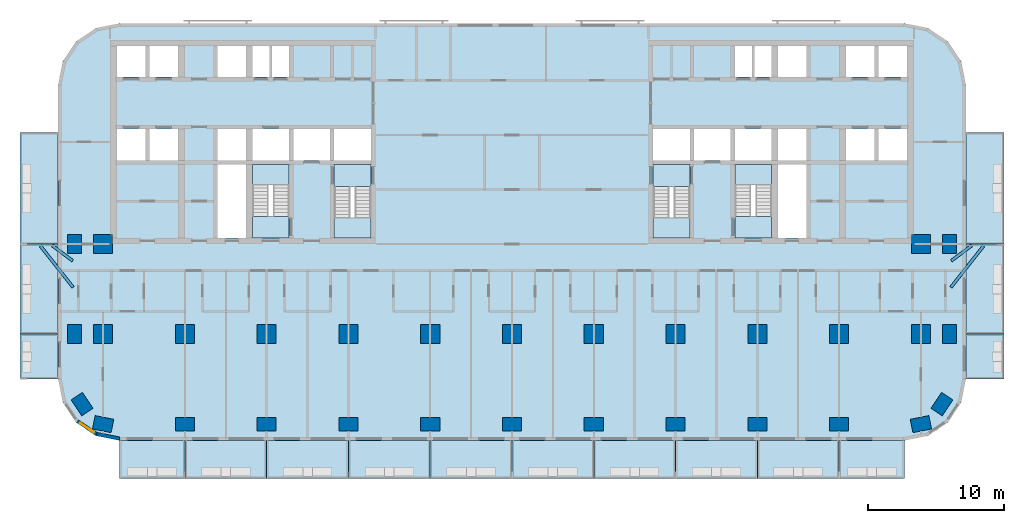
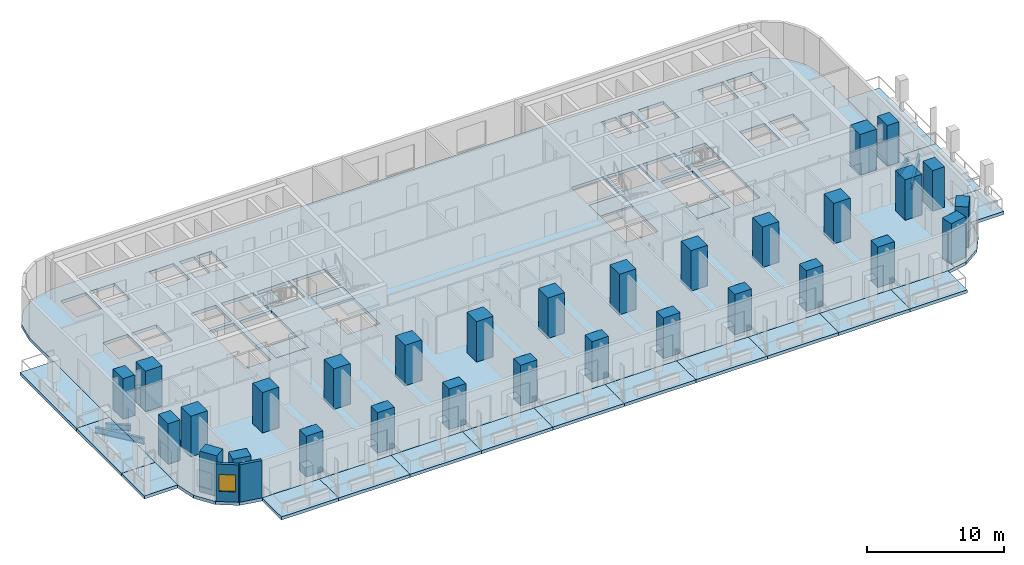
# One storey, part 1 of 15: 30 columns, 25 slabs, 4 beams, 2 walls, 1 window, 1 opening, 4 elements without a shape of their own.
"""IFC4 building model written with IfcOpenShell, lengths in metres."""

import ifcopenshell
import ifcopenshell.guid

model = None  # the IFC model being written
_history = None  # IfcOwnerHistory: only IFC2X3 demands one
_inside = {}  # id of a spatial element -> (the spatial element, [elements in it])
_under = {}  # id of a project, library or spatial element -> (it, [spatial elements below it])
_declared = {}  # id of a project -> (the project, [libraries it declares])
_typed = {}  # id of a type object -> (the type object, [elements of that type])
_made_of = {}  # id of a material, layer set ... -> (it, [elements and type objects made of it])


def new_model(schema):
    """Start an empty IFC model of exactly this schema.

    Asked for "IFC4X3", IfcOpenShell would pick the latest addendum, in which some entities
    have other attributes; the version numbers below select the first issue.
    IFC2X3 requires an IfcOwnerHistory on every rooted entity: one is made here for all.
    """
    global model, _history
    if schema == "IFC4X3":
        model = ifcopenshell.file(schema_version=(4, 3, 0, 0))
    else:
        model = ifcopenshell.file(schema=schema)
    _inside.clear()
    _under.clear()
    _declared.clear()
    _typed.clear()
    _made_of.clear()
    _history = None
    if model.schema == "IFC2X3":
        org = make("IfcOrganization", Name="unknown")
        user = make(
            "IfcPersonAndOrganization",
            ThePerson=make("IfcPerson", FamilyName="unknown"),
            TheOrganization=org,
        )
        app = make(
            "IfcApplication",
            ApplicationDeveloper=org,
            Version="unknown",
            ApplicationFullName="unknown",
            ApplicationIdentifier="unknown",
        )
        _history = make(
            "IfcOwnerHistory",
            OwningUser=user,
            OwningApplication=app,
            ChangeAction="ADDED",
            CreationDate=0,
        )
    return model


def make(cls, **values):
    """One entity of the class cls with the attributes given. An attribute that is None is left unset."""
    return model.create_entity(
        cls, **{name: value for name, value in values.items() if value is not None}
    )


def rooted(cls, **values):
    """An entity with a GlobalId (a new one), such as an element, a storey or a relation."""
    return make(cls, GlobalId=ifcopenshell.guid.new(), OwnerHistory=_history, **values)


def si_unit(unit_type, name, prefix=None):
    """IfcSIUnit, for example si_unit("LENGTHUNIT", "METRE", prefix="MILLI")."""
    return make("IfcSIUnit", UnitType=unit_type, Prefix=prefix, Name=name)


def assignment(units):
    """IfcUnitAssignment: the units of a project."""
    return None if units is None else make("IfcUnitAssignment", Units=units)


def point(xyz):
    """IfcCartesianPoint."""
    return None if xyz is None else make("IfcCartesianPoint", Coordinates=xyz)


def direction(xyz):
    """IfcDirection."""
    return None if xyz is None else make("IfcDirection", DirectionRatios=xyz)


def frame(location, z_axis=None, x_axis=None):
    """IfcAxis2Placement3D, a coordinate frame: its origin and axes. An axis left out is left unset."""
    return make(
        "IfcAxis2Placement3D",
        Location=point(location),
        Axis=direction(z_axis),
        RefDirection=direction(x_axis),
    )


def frame_2d(location, x_axis=None):
    """IfcAxis2Placement2D, a coordinate frame in the plane: its origin and x axis."""
    return make(
        "IfcAxis2Placement2D", Location=point(location), RefDirection=direction(x_axis)
    )


def origin():
    """The frame at (0, 0, 0) with its axes left unset."""
    return frame((0.0, 0.0, 0.0))


def origin_2d():
    """The frame at (0, 0) in the plane with its x axis left unset."""
    return frame_2d((0.0, 0.0))


def place(relative_to, where):
    """IfcLocalPlacement: puts the frame where relative to a parent placement (None: the world)."""
    return make(
        "IfcLocalPlacement", PlacementRelTo=relative_to, RelativePlacement=where
    )


def context(
    kind, dimensions, precision=None, world=None, true_north=None, identifier=None
):
    """IfcGeometricRepresentationContext, for example the 3D "Model" context."""
    return make(
        "IfcGeometricRepresentationContext",
        ContextIdentifier=identifier,
        ContextType=kind,
        CoordinateSpaceDimension=dimensions,
        Precision=precision,
        WorldCoordinateSystem=world,
        TrueNorth=true_north,
    )


def subcontext(parent, identifier, kind, view, scale=None):
    """IfcGeometricRepresentationSubContext, for example "Body" below "Model"."""
    return make(
        "IfcGeometricRepresentationSubContext",
        ContextIdentifier=identifier,
        ContextType=kind,
        ParentContext=parent,
        TargetScale=scale,
        TargetView=view,
    )


def project(units=None, contexts=None):
    """IfcProject with its units and contexts."""
    return rooted(
        "IfcProject",
        Name="project",
        RepresentationContexts=contexts,
        UnitsInContext=assignment(units),
    )


def spatial(cls, under=None, at=None, **own):
    """A site, building, storey or space (cls), placed at a placement, below another one or the project."""
    s = rooted(cls, ObjectPlacement=at, **own)
    if under is not None:
        _under.setdefault(under.id(), (under, []))[1].append(s)
    return s


def polyline(points):
    """IfcPolyline through the points."""
    return make("IfcPolyline", Points=[point(p) for p in points])


def profile(cls, at=None, kind="AREA", **sizes):
    """A parametric profile (cls). Its sizes go by their IFC names, for example OverallWidth=200.0."""
    return make(cls, ProfileType=kind, Position=at, **sizes)


def rectangle(**sizes):
    """IfcRectangleProfileDef."""
    return profile("IfcRectangleProfileDef", **sizes)


def i_section(**sizes):
    """IfcIShapeProfileDef."""
    return profile("IfcIShapeProfileDef", **sizes)


def outline(outer, holes=None, kind="AREA"):
    """IfcArbitraryClosedProfileDef: a profile drawn as a closed curve; with holes, ...WithVoids."""
    if holes is None:
        return make("IfcArbitraryClosedProfileDef", ProfileType=kind, OuterCurve=outer)
    return make(
        "IfcArbitraryProfileDefWithVoids",
        ProfileType=kind,
        OuterCurve=outer,
        InnerCurves=holes,
    )


def extrude(swept, where, along, depth):
    """IfcExtrudedAreaSolid: the profile swept, set in the frame where, extruded along a direction by depth."""
    return make(
        "IfcExtrudedAreaSolid",
        SweptArea=swept,
        Position=where,
        ExtrudedDirection=direction(along),
        Depth=depth,
    )


def shape(context_of_items, identifier, shape_type, items):
    """IfcShapeRepresentation: the items that make up one representation, for example the "Body"."""
    return make(
        "IfcShapeRepresentation",
        ContextOfItems=context_of_items,
        RepresentationIdentifier=identifier,
        RepresentationType=shape_type,
        Items=items,
    )


def material(Name=None, Category=None):
    """IfcMaterial."""
    return make("IfcMaterial", Name=Name, Category=Category)


def layer(
    of_material, thickness, ventilated=None, Name=None, Category=None, Priority=None
):
    """IfcMaterialLayer: one layer of a wall or slab, of a material (None: an air gap)."""
    return make(
        "IfcMaterialLayer",
        Material=of_material,
        LayerThickness=thickness,
        IsVentilated=ventilated,
        Name=Name,
        Category=Category,
        Priority=Priority,
    )


def layer_set(layers, Name=None):
    """IfcMaterialLayerSet."""
    return make("IfcMaterialLayerSet", MaterialLayers=layers, LayerSetName=Name)


def material_profile(
    of_material, cross_section, Name=None, Category=None, Priority=None
):
    """IfcMaterialProfile: a cross section and its material."""
    return make(
        "IfcMaterialProfile",
        Name=Name,
        Material=of_material,
        Profile=cross_section,
        Priority=Priority,
        Category=Category,
    )


def profile_set(profiles, Name=None, composite=None):
    """IfcMaterialProfileSet."""
    return make(
        "IfcMaterialProfileSet",
        Name=Name,
        MaterialProfiles=profiles,
        CompositeProfile=composite,
    )


def made_of(thing, what):
    """Note that an element or type object is made of a material, layer set ...; save() writes the relation."""
    if what is not None:
        _made_of.setdefault(what.id(), (what, []))[1].append(thing)
    return thing


def type_object(cls, material=None, **own):
    """A type object (cls), such as IfcWallType, which elements share."""
    return made_of(rooted(cls, **own), material)


def element(
    cls,
    number,
    at=None,
    inside=None,
    cuts=None,
    type_object=None,
    material=None,
    context=None,
    identifier="Body",
    shape_type=None,
    held_by="IfcProductDefinitionShape",
    body=None,
    shapes=None,
    **own,
):
    """One element of the class cls, such as IfcWall. Its Tag is "e" and its number.

    at: its placement. inside: the storey or other place that contains it. cuts: it is an
    opening in that element (IfcRelVoidsElement). A single representation is given by context,
    identifier, shape_type and body (its items); several are given by shapes. held_by: the class
    of the entity that holds the representations. save() writes the other relations.
    """
    e = rooted(cls, Tag="e%d" % number, ObjectPlacement=at, **own)
    if body is not None:
        shapes = [shape(context, identifier, shape_type, body)]
    if shapes is not None:
        e.Representation = make(held_by, Representations=shapes)
    if inside is not None:
        _inside.setdefault(inside.id(), (inside, []))[1].append(e)
    if cuts is not None:
        rooted(
            "IfcRelVoidsElement", RelatingBuildingElement=cuts, RelatedOpeningElement=e
        )
    if type_object is not None:
        _typed.setdefault(type_object.id(), (type_object, []))[1].append(e)
    return made_of(e, material)


def fill(opening, filler):
    """IfcRelFillsElement: the door or window that sits in an opening."""
    return rooted(
        "IfcRelFillsElement",
        RelatingOpeningElement=opening,
        RelatedBuildingElement=filler,
    )


def aggregate(whole, parts):
    """IfcRelAggregates: a whole, such as a stair, and the parts it consists of."""
    return rooted("IfcRelAggregates", RelatingObject=whole, RelatedObjects=parts)


def save(model, path):
    """Write the relations noted so far, then the file.

    IfcRelAggregates (storeys below a building ...), IfcRelContainedInSpatialStructure (elements
    in a storey), IfcRelDefinesByType, IfcRelAssociatesMaterial and IfcRelDeclares: one each for
    every whole, place, type object, material and project.
    """
    for whole, parts in _under.values():
        aggregate(whole, parts)
    for where, things in _inside.values():
        rooted(
            "IfcRelContainedInSpatialStructure",
            RelatedElements=things,
            RelatingStructure=where,
        )
    for kind, things in _typed.values():
        rooted("IfcRelDefinesByType", RelatedObjects=things, RelatingType=kind)
    for what, things in _made_of.values():
        rooted("IfcRelAssociatesMaterial", RelatedObjects=things, RelatingMaterial=what)
    for by, libraries in _declared.values():
        rooted("IfcRelDeclares", RelatingContext=by, RelatedDefinitions=libraries)
    model.write(path)


model = new_model("IFC4")

# Units and contexts
model_context = context("Model", 3, precision=1e-05, world=origin(), true_north=direction((0.0, 1.0)))
body_context = subcontext(model_context, "Body", "Model", "MODEL_VIEW")
ifc_project = project(units=[si_unit("LENGTHUNIT", "METRE"), si_unit("AREAUNIT", "SQUARE_METRE"), si_unit("VOLUMEUNIT", "CUBIC_METRE"), si_unit("PLANEANGLEUNIT", "RADIAN"), si_unit("MASSUNIT", "GRAM", prefix="KILO")], contexts=[model_context])

# Site, building, storey
site_placement = place(None, origin())
site = spatial("IfcSite", under=ifc_project, at=site_placement, CompositionType="ELEMENT")
building_placement = place(site_placement, origin())
building = spatial("IfcBuilding", under=site, at=building_placement, Name="Torana Hotel and Residences", CompositionType="ELEMENT")
storey_placement = place(building_placement, frame((0.0, 0.0, 24.0)))
storey = spatial("IfcBuildingStorey", under=building, at=storey_placement, Name="L04", CompositionType="ELEMENT", Elevation=24.0)

# Columns
ifc_material_1 = material(Name="Concrete C70/85", Category="concrete")
ifc_material_profile_1 = material_profile(ifc_material_1, rectangle(XDim=1.39990234375, YDim=1.0, at=origin_2d()), Name="RC 1400x1000")
ifc_profile_set_1 = profile_set([ifc_material_profile_1], Name="Concrete C70/85")
column_type_1 = type_object("IfcColumnType", Name="COLUMN RC 1400x1000 C70/85", PredefinedType="COLUMN", material=ifc_profile_set_1)
for number, where, z_axis, x_axis, name in (
    (1, (-32.10009765625, -21.60009765625, -0.280029296875), (0.0, 0.0, 1.0), (0.0, 1.0, 0.0), "Column L04"),
    (2, (-32.10009765625, -15.0, -0.280029296875), (0.0, 0.0, 1.0), (0.0, 1.0, 0.0), "Column L04"),
    (3, (-31.5439453125, -26.73291015625, -0.280029296875), (0.0, 0.0, 1.0), (-0.555584744817, 0.831459915646, 0.0), "Column L04"),
    (4, (-30.0, -28.199951171875, -0.280029296875), (0.0, 0.0, 1.0), (-0.980792089743, 0.195056086032, 0.0), "Column L04"),
    (5, (-24.0, -28.199951171875, -0.280029296875), (0.0, 0.0, 1.0), (1.0, 0.0, 0.0), "Column L04"),
    (6, (-18.0, -28.199951171875, -0.280029296875), (0.0, 0.0, 1.0), (1.0, 0.0, 0.0), "Column L04"),
    (7, (-12.0, -28.199951171875, -0.280029296875), (0.0, 0.0, 1.0), (1.0, 0.0, 0.0), "Column L04"),
    (8, (-6.0, -28.199951171875, -0.280029296875), (0.0, 0.0, 1.0), (1.0, 0.0, 0.0), "Column L04"),
    (9, (0.0, -28.199951171875, -0.280029296875), (0.0, 0.0, 1.0), (1.0, 0.0, 0.0), "Column L04"),
    (10, (6.0, -28.199951171875, -0.280029296875), (0.0, 0.0, 1.0), (1.0, 0.0, 0.0), "Column L04"),
    (11, (12.0, -28.199951171875, -0.280029296875), (0.0, 0.0, 1.0), (1.0, 0.0, 0.0), "Column L04"),
    (12, (18.0, -28.199951171875, -0.280029296875), (0.0, 0.0, 1.0), (1.0, 0.0, 0.0), "Column L04"),
    (13, (24.0, -28.199951171875, -0.280029296875), (0.0, 0.0, 1.0), (1.0, 0.0, 0.0), "Column L04"),
    (14, (30.0, -28.199951171875, -0.280029296875), (0.0, 0.0, 1.0), (0.980792089743, 0.195056086032, 0.0), "Column L04"),
    (15, (31.5439453125, -26.73291015625, -0.280029296875), (0.0, 0.0, 1.0), (0.555584744817, 0.831459915646, 0.0), "Column L04"),
    (16, (32.10009765625, -21.60009765625, -0.280029296875), (0.0, 0.0, 1.0), (0.0, 1.0, 0.0), "Column L04"),
    (17, (32.10009765625, -15.0, -0.280029296875), (0.0, 0.0, 1.0), (0.0, 1.0, 0.0), "Column L04"),
):
    element("IfcColumn", number, at=place(storey_placement, frame(where, z_axis=z_axis, x_axis=x_axis)), inside=storey, type_object=column_type_1, Name=name, PredefinedType="COLUMN", context=body_context, shape_type="SweptSolid", body=[
        extrude(rectangle(XDim=1.39990234375, YDim=1.0, at=origin_2d()), origin(), (0.0, 0.0, 1.0), 3.880126953125),
    ])
ifc_material_2 = material(Name="Concrete C70/85", Category="concrete")
ifc_material_profile_2 = material_profile(ifc_material_2, rectangle(XDim=1.39990234375, YDim=1.39990234375, at=origin_2d()), Name="RC 1400x1400")
ifc_profile_set_2 = profile_set([ifc_material_profile_2], Name="Concrete C70/85")
column_type_2 = type_object("IfcColumnType", Name="COLUMN RC 1400x1400 C70/85", PredefinedType="COLUMN", material=ifc_profile_set_2)
for number, where, z_axis, x_axis, name in (
    (18, (-30.0, -21.60009765625, -0.280029296875), (0.0, 0.0, 1.0), (1.0, 0.0, 0.0), "Column L04"),
    (19, (-30.0, -15.0, -0.280029296875), (0.0, 0.0, 1.0), (1.0, 0.0, 0.0), "Column L04"),
    (20, (-24.0, -21.60009765625, -0.280029296875), (0.0, 0.0, 1.0), (1.0, 0.0, 0.0), "Column L04"),
    (21, (-18.0, -21.60009765625, -0.280029296875), (0.0, 0.0, 1.0), (1.0, 0.0, 0.0), "Column L04"),
    (22, (-12.0, -21.60009765625, -0.280029296875), (0.0, 0.0, 1.0), (1.0, 0.0, 0.0), "Column L04"),
    (23, (-6.0, -21.60009765625, -0.280029296875), (0.0, 0.0, 1.0), (1.0, 0.0, 0.0), "Column L04"),
    (24, (0.0, -21.60009765625, -0.280029296875), (0.0, 0.0, 1.0), (1.0, 0.0, 0.0), "Column L04"),
    (25, (6.0, -21.60009765625, -0.280029296875), (0.0, 0.0, 1.0), (1.0, 0.0, 0.0), "Column L04"),
    (26, (12.0, -21.60009765625, -0.280029296875), (0.0, 0.0, 1.0), (1.0, 0.0, 0.0), "Column L04"),
    (27, (18.0, -21.60009765625, -0.280029296875), (0.0, 0.0, 1.0), (1.0, 0.0, 0.0), "Column L04"),
    (28, (24.0, -21.60009765625, -0.280029296875), (0.0, 0.0, 1.0), (1.0, 0.0, 0.0), "Column L04"),
    (29, (30.0, -21.60009765625, -0.280029296875), (0.0, 0.0, 1.0), (1.0, 0.0, 0.0), "Column L04"),
    (30, (30.0, -15.0, -0.280029296875), (0.0, 0.0, 1.0), (1.0, 0.0, 0.0), "Column L04"),
):
    element("IfcColumn", number, at=place(storey_placement, frame(where, z_axis=z_axis, x_axis=x_axis)), inside=storey, type_object=column_type_2, Name=name, PredefinedType="COLUMN", context=body_context, shape_type="SweptSolid", body=[
        extrude(rectangle(XDim=1.39990234375, YDim=1.39990234375, at=origin_2d()), origin(), (0.0, 0.0, 1.0), 3.880126953125),
    ])

# Beams
ifc_material_3 = material(Name="Steel S355", Category="steel")
ifc_material_profile_3 = material_profile(ifc_material_3, i_section(OverallWidth=0.2119140625, OverallDepth=0.54443359375, WebThickness=0.0126953125, FlangeThickness=0.021240234375, FilletRadius=0.0126953125, at=origin_2d()), Name="533x210x122 UB")
ifc_profile_set_3 = profile_set([ifc_material_profile_3], Name="Steel S355")
beam_type = type_object("IfcBeamType", Name="BALCONY TIE BEAM 533x210x122 UB", PredefinedType="BEAM", material=ifc_profile_set_3)
beam_1_placement = place(storey_placement, frame((-33.72412109375, -15.10205078125, -0.55224609375), z_axis=(0.80001575065, -0.599978998559, 0.0), x_axis=(0.599978998559, 0.80001575065, 0.0)))
element("IfcBeam", 31, at=beam_1_placement, inside=storey, type_object=beam_type, Name="Balcony tie beam", PredefinedType="BEAM", context=body_context, shape_type="SweptSolid", body=[
    extrude(i_section(OverallWidth=0.2119140625, OverallDepth=0.54443359375, WebThickness=0.0126953125, FlangeThickness=0.021240234375, FilletRadius=0.0126953125, at=origin_2d()), origin(), (0.0, 0.0, 1.0), 1.860107421875),
])
beam_2_placement = place(storey_placement, frame((-34.5947265625, -15.133544921875, -0.55224609375), z_axis=(0.61887931962, -0.785486083739, 0.0), x_axis=(0.785486083739, 0.61887931962, 0.0)))
element("IfcBeam", 32, at=beam_2_placement, inside=storey, type_object=beam_type, Name="Balcony tie beam", PredefinedType="BEAM", context=body_context, shape_type="SweptSolid", body=[
    extrude(i_section(OverallWidth=0.2119140625, OverallDepth=0.54443359375, WebThickness=0.0126953125, FlangeThickness=0.021240234375, FilletRadius=0.0126953125, at=origin_2d()), origin(), (0.0, 0.0, 1.0), 3.861328125),
])
beam_3_placement = place(storey_placement, frame((33.72412109375, -15.10205078125, -0.55224609375), z_axis=(-0.80001575065, -0.599978998559, 0.0), x_axis=(0.599978998559, -0.80001575065, 0.0)))
element("IfcBeam", 33, at=beam_3_placement, inside=storey, type_object=beam_type, Name="Balcony tie beam", PredefinedType="BEAM", context=body_context, shape_type="SweptSolid", body=[
    extrude(i_section(OverallWidth=0.2119140625, OverallDepth=0.54443359375, WebThickness=0.0126953125, FlangeThickness=0.021240234375, FilletRadius=0.0126953125, at=origin_2d()), origin(), (0.0, 0.0, 1.0), 1.860107421875),
])
beam_4_placement = place(storey_placement, frame((34.5947265625, -15.133544921875, -0.55224609375), z_axis=(-0.61887931962, -0.785486083739, 0.0), x_axis=(0.785486083739, -0.61887931962, 0.0)))
element("IfcBeam", 34, at=beam_4_placement, inside=storey, type_object=beam_type, Name="Balcony tie beam", PredefinedType="BEAM", context=body_context, shape_type="SweptSolid", body=[
    extrude(i_section(OverallWidth=0.2119140625, OverallDepth=0.54443359375, WebThickness=0.0126953125, FlangeThickness=0.021240234375, FilletRadius=0.0126953125, at=origin_2d()), origin(), (0.0, 0.0, 1.0), 3.861328125),
])

# Slabs
ifc_material_4 = material(Name="Concrete C40/50", Category="concrete")
ifc_layer_1 = layer(ifc_material_4, 0.280029296875)
ifc_layer_set_1 = layer_set([ifc_layer_1], Name="BAL1 BALCONY SLAB 280")
slab_type_1 = type_object("IfcSlabType", Name="BAL1 BALCONY SLAB 280", PredefinedType="USERDEFINED", material=ifc_layer_set_1)
slab_1_placement = place(storey_placement, frame((0.0, 0.0, -0.280029296875)))
element("IfcSlab", 35, at=slab_1_placement, inside=storey, type_object=slab_type_1, Name="Balcony 01", ObjectType="BALCONY", PredefinedType="USERDEFINED", context=body_context, shape_type="SweptSolid", body=[
    extrude(outline(polyline([(-28.800048828125, -32.199951171875), (-24.0, -32.199951171875), (-24.0, -29.39990234375), (-28.800048828125, -29.39990234375), (-28.800048828125, -32.199951171875)])), origin(), (0.0, 0.0, 1.0), 0.280029296875),
])
slab_2_placement = place(storey_placement, frame((0.0, 0.0, -0.280029296875)))
element("IfcSlab", 36, at=slab_2_placement, inside=storey, type_object=slab_type_1, Name="Balcony 02", ObjectType="BALCONY", PredefinedType="USERDEFINED", context=body_context, shape_type="SweptSolid", body=[
    extrude(outline(polyline([(-24.0, -32.199951171875), (-18.0, -32.199951171875), (-18.0, -29.39990234375), (-24.0, -29.39990234375), (-24.0, -32.199951171875)])), origin(), (0.0, 0.0, 1.0), 0.280029296875),
])
slab_3_placement = place(storey_placement, frame((0.0, 0.0, -0.280029296875)))
element("IfcSlab", 37, at=slab_3_placement, inside=storey, type_object=slab_type_1, Name="Balcony 03", ObjectType="BALCONY", PredefinedType="USERDEFINED", context=body_context, shape_type="SweptSolid", body=[
    extrude(outline(polyline([(-18.0, -32.199951171875), (-12.0, -32.199951171875), (-12.0, -29.39990234375), (-18.0, -29.39990234375), (-18.0, -32.199951171875)])), origin(), (0.0, 0.0, 1.0), 0.280029296875),
])
slab_4_placement = place(storey_placement, frame((0.0, 0.0, -0.280029296875)))
element("IfcSlab", 38, at=slab_4_placement, inside=storey, type_object=slab_type_1, Name="Balcony 04", ObjectType="BALCONY", PredefinedType="USERDEFINED", context=body_context, shape_type="SweptSolid", body=[
    extrude(outline(polyline([(-12.0, -32.199951171875), (-6.0, -32.199951171875), (-6.0, -29.39990234375), (-12.0, -29.39990234375), (-12.0, -32.199951171875)])), origin(), (0.0, 0.0, 1.0), 0.280029296875),
])
slab_5_placement = place(storey_placement, frame((0.0, 0.0, -0.280029296875)))
element("IfcSlab", 39, at=slab_5_placement, inside=storey, type_object=slab_type_1, Name="Balcony 05", ObjectType="BALCONY", PredefinedType="USERDEFINED", context=body_context, shape_type="SweptSolid", body=[
    extrude(outline(polyline([(-6.0, -32.199951171875), (0.0, -32.199951171875), (0.0, -29.39990234375), (-6.0, -29.39990234375), (-6.0, -32.199951171875)])), origin(), (0.0, 0.0, 1.0), 0.280029296875),
])
slab_6_placement = place(storey_placement, frame((0.0, 0.0, -0.280029296875)))
element("IfcSlab", 40, at=slab_6_placement, inside=storey, type_object=slab_type_1, Name="Balcony 06", ObjectType="BALCONY", PredefinedType="USERDEFINED", context=body_context, shape_type="SweptSolid", body=[
    extrude(outline(polyline([(0.0, -32.199951171875), (6.0, -32.199951171875), (6.0, -29.39990234375), (0.0, -29.39990234375), (0.0, -32.199951171875)])), origin(), (0.0, 0.0, 1.0), 0.280029296875),
])
slab_7_placement = place(storey_placement, frame((0.0, 0.0, -0.280029296875)))
element("IfcSlab", 41, at=slab_7_placement, inside=storey, type_object=slab_type_1, Name="Balcony 07", ObjectType="BALCONY", PredefinedType="USERDEFINED", context=body_context, shape_type="SweptSolid", body=[
    extrude(outline(polyline([(6.0, -32.199951171875), (12.0, -32.199951171875), (12.0, -29.39990234375), (6.0, -29.39990234375), (6.0, -32.199951171875)])), origin(), (0.0, 0.0, 1.0), 0.280029296875),
])
slab_8_placement = place(storey_placement, frame((0.0, 0.0, -0.280029296875)))
element("IfcSlab", 42, at=slab_8_placement, inside=storey, type_object=slab_type_1, Name="Balcony 08", ObjectType="BALCONY", PredefinedType="USERDEFINED", context=body_context, shape_type="SweptSolid", body=[
    extrude(outline(polyline([(12.0, -32.199951171875), (18.0, -32.199951171875), (18.0, -29.39990234375), (12.0, -29.39990234375), (12.0, -32.199951171875)])), origin(), (0.0, 0.0, 1.0), 0.280029296875),
])
slab_9_placement = place(storey_placement, frame((0.0, 0.0, -0.280029296875)))
element("IfcSlab", 43, at=slab_9_placement, inside=storey, type_object=slab_type_1, Name="Balcony 09", ObjectType="BALCONY", PredefinedType="USERDEFINED", context=body_context, shape_type="SweptSolid", body=[
    extrude(outline(polyline([(18.0, -32.199951171875), (24.0, -32.199951171875), (24.0, -29.39990234375), (18.0, -29.39990234375), (18.0, -32.199951171875)])), origin(), (0.0, 0.0, 1.0), 0.280029296875),
])
slab_10_placement = place(storey_placement, frame((0.0, 0.0, -0.280029296875)))
element("IfcSlab", 44, at=slab_10_placement, inside=storey, type_object=slab_type_1, Name="Balcony 10", ObjectType="BALCONY", PredefinedType="USERDEFINED", context=body_context, shape_type="SweptSolid", body=[
    extrude(outline(polyline([(24.0, -32.199951171875), (28.800048828125, -32.199951171875), (28.800048828125, -29.39990234375), (24.0, -29.39990234375), (24.0, -32.199951171875)])), origin(), (0.0, 0.0, 1.0), 0.280029296875),
])
slab_11_placement = place(storey_placement, frame((0.0, 0.0, -0.280029296875)))
element("IfcSlab", 45, at=slab_11_placement, inside=storey, type_object=slab_type_1, Name="Balcony 11", ObjectType="BALCONY", PredefinedType="USERDEFINED", context=body_context, shape_type="SweptSolid", body=[
    extrude(outline(polyline([(-36.10009765625, -24.89990234375), (-33.300048828125, -24.89990234375), (-33.300048828125, -21.60009765625), (-36.10009765625, -21.60009765625), (-36.10009765625, -24.89990234375)])), origin(), (0.0, 0.0, 1.0), 0.280029296875),
])
slab_12_placement = place(storey_placement, frame((0.0, 0.0, -0.280029296875)))
element("IfcSlab", 46, at=slab_12_placement, inside=storey, type_object=slab_type_1, Name="Balcony 12", ObjectType="BALCONY", PredefinedType="USERDEFINED", context=body_context, shape_type="SweptSolid", body=[
    extrude(outline(polyline([(-36.10009765625, -21.60009765625), (-33.300048828125, -21.60009765625), (-33.300048828125, -15.0), (-36.10009765625, -15.0), (-36.10009765625, -21.60009765625)])), origin(), (0.0, 0.0, 1.0), 0.280029296875),
])
slab_13_placement = place(storey_placement, frame((0.0, 0.0, -0.280029296875)))
element("IfcSlab", 47, at=slab_13_placement, inside=storey, type_object=slab_type_1, Name="Balcony 13", ObjectType="BALCONY", PredefinedType="USERDEFINED", context=body_context, shape_type="SweptSolid", body=[
    extrude(outline(polyline([(-36.10009765625, -15.0), (-33.300048828125, -15.0), (-33.300048828125, -6.800048828125), (-36.10009765625, -6.800048828125), (-36.10009765625, -15.0)])), origin(), (0.0, 0.0, 1.0), 0.280029296875),
])
slab_14_placement = place(storey_placement, frame((0.0, 0.0, -0.280029296875)))
element("IfcSlab", 48, at=slab_14_placement, inside=storey, type_object=slab_type_1, Name="Balcony 14", ObjectType="BALCONY", PredefinedType="USERDEFINED", context=body_context, shape_type="SweptSolid", body=[
    extrude(outline(polyline([(33.300048828125, -24.89990234375), (36.10009765625, -24.89990234375), (36.10009765625, -21.60009765625), (33.300048828125, -21.60009765625), (33.300048828125, -24.89990234375)])), origin(), (0.0, 0.0, 1.0), 0.280029296875),
])
slab_15_placement = place(storey_placement, frame((0.0, 0.0, -0.280029296875)))
element("IfcSlab", 49, at=slab_15_placement, inside=storey, type_object=slab_type_1, Name="Balcony 15", ObjectType="BALCONY", PredefinedType="USERDEFINED", context=body_context, shape_type="SweptSolid", body=[
    extrude(outline(polyline([(33.300048828125, -21.60009765625), (36.10009765625, -21.60009765625), (36.10009765625, -15.0), (33.300048828125, -15.0), (33.300048828125, -21.60009765625)])), origin(), (0.0, 0.0, 1.0), 0.280029296875),
])
slab_16_placement = place(storey_placement, frame((0.0, 0.0, -0.280029296875)))
element("IfcSlab", 50, at=slab_16_placement, inside=storey, type_object=slab_type_1, Name="Balcony 16", ObjectType="BALCONY", PredefinedType="USERDEFINED", context=body_context, shape_type="SweptSolid", body=[
    extrude(outline(polyline([(33.300048828125, -15.0), (36.10009765625, -15.0), (36.10009765625, -6.800048828125), (33.300048828125, -6.800048828125), (33.300048828125, -15.0)])), origin(), (0.0, 0.0, 1.0), 0.280029296875),
])
ifc_material_5 = material(Name="Concrete C40/50", Category="concrete")
ifc_layer_2 = layer(ifc_material_5, 0.280029296875)
ifc_layer_set_2 = layer_set([ifc_layer_2], Name="FLOOR SLAB PT 280")
slab_type_2 = type_object("IfcSlabType", Name="FLOOR SLAB PT 280", PredefinedType="FLOOR", material=ifc_layer_set_2)
slab_17_placement = place(storey_placement, frame((0.0, 0.0, -0.280029296875)))
element("IfcSlab", 51, at=slab_17_placement, inside=storey, type_object=slab_type_2, Name="Floor slab", PredefinedType="FLOOR", context=body_context, shape_type="SweptSolid", body=[
    extrude(outline(polyline([(33.300048828125, -3.300048828125), (32.95751953125, -1.577880859375), (31.98193359375, -0.117919921875), (30.522216796875, 0.857421875), (28.800048828125, 1.199951171875), (-28.800048828125, 1.199951171875), (-30.522216796875, 0.857421875), (-31.98193359375, -0.117919921875), (-32.95751953125, -1.577880859375), (-33.300048828125, -3.300048828125), (-33.300048828125, -24.89990234375), (-32.95751953125, -26.6220703125), (-31.98193359375, -28.08203125), (-30.522216796875, -29.0576171875), (-28.800048828125, -29.39990234375), (28.800048828125, -29.39990234375), (30.522216796875, -29.0576171875), (31.98193359375, -28.08203125), (32.95751953125, -26.6220703125), (33.300048828125, -24.89990234375), (33.300048828125, -3.300048828125)]), holes=[polyline([(-13.050048828125, -14.550048828125), (-10.35009765625, -14.550048828125), (-10.35009765625, -9.14990234375), (-13.050048828125, -9.14990234375), (-13.050048828125, -14.550048828125)]), polyline([(-19.050048828125, -14.550048828125), (-16.35009765625, -14.550048828125), (-16.35009765625, -9.14990234375), (-19.050048828125, -9.14990234375), (-19.050048828125, -14.550048828125)]), polyline([(-17.625, -2.75), (-16.35009765625, -2.75), (-16.35009765625, -0.449951171875), (-17.625, -0.449951171875), (-17.625, -2.75)]), polyline([(-19.050048828125, -2.75), (-17.77490234375, -2.75), (-17.77490234375, -0.449951171875), (-19.050048828125, -0.449951171875), (-19.050048828125, -2.75)]), polyline([(-26.60009765625, -2.75), (-24.5, -2.75), (-24.5, -0.449951171875), (-26.60009765625, -0.449951171875), (-26.60009765625, -2.75)]), polyline([(-29.0, -2.75), (-26.89990234375, -2.75), (-26.89990234375, -0.449951171875), (-29.0, -0.449951171875), (-29.0, -2.75)]), polyline([(-26.60009765625, -8.85009765625), (-24.5, -8.85009765625), (-24.5, -6.550048828125), (-26.60009765625, -6.550048828125), (-26.60009765625, -8.85009765625)]), polyline([(-29.0, -8.85009765625), (-26.89990234375, -8.85009765625), (-26.89990234375, -6.550048828125), (-29.0, -6.550048828125), (-29.0, -8.85009765625)]), polyline([(-21.60009765625, -2.75), (-19.5, -2.75), (-19.5, -0.449951171875), (-21.60009765625, -0.449951171875), (-21.60009765625, -2.75)]), polyline([(-21.60009765625, -8.85009765625), (-19.5, -8.85009765625), (-19.5, -6.550048828125), (-21.60009765625, -6.550048828125), (-21.60009765625, -8.85009765625)]), polyline([(-13.050048828125, -8.85009765625), (-10.35009765625, -8.85009765625), (-10.35009765625, -6.550048828125), (-13.050048828125, -6.550048828125), (-13.050048828125, -8.85009765625)]), polyline([(-16.050048828125, -8.85009765625), (-13.35009765625, -8.85009765625), (-13.35009765625, -6.550048828125), (-16.050048828125, -6.550048828125), (-16.050048828125, -8.85009765625)]), polyline([(-19.050048828125, -8.85009765625), (-16.35009765625, -8.85009765625), (-16.35009765625, -6.550048828125), (-19.050048828125, -6.550048828125), (-19.050048828125, -8.85009765625)]), polyline([(-21.60009765625, -14.550048828125), (-19.5, -14.550048828125), (-19.5, -9.14990234375), (-21.60009765625, -9.14990234375), (-21.60009765625, -14.550048828125)]), polyline([(10.35009765625, -14.550048828125), (13.050048828125, -14.550048828125), (13.050048828125, -9.14990234375), (10.35009765625, -9.14990234375), (10.35009765625, -14.550048828125)]), polyline([(16.35009765625, -14.550048828125), (19.050048828125, -14.550048828125), (19.050048828125, -9.14990234375), (16.35009765625, -9.14990234375), (16.35009765625, -14.550048828125)]), polyline([(16.35009765625, -2.75), (17.625, -2.75), (17.625, -0.449951171875), (16.35009765625, -0.449951171875), (16.35009765625, -2.75)]), polyline([(17.77490234375, -2.75), (19.050048828125, -2.75), (19.050048828125, -0.449951171875), (17.77490234375, -0.449951171875), (17.77490234375, -2.75)]), polyline([(24.5, -2.75), (26.60009765625, -2.75), (26.60009765625, -0.449951171875), (24.5, -0.449951171875), (24.5, -2.75)]), polyline([(26.89990234375, -2.75), (29.0, -2.75), (29.0, -0.449951171875), (26.89990234375, -0.449951171875), (26.89990234375, -2.75)]), polyline([(24.5, -8.85009765625), (26.60009765625, -8.85009765625), (26.60009765625, -6.550048828125), (24.5, -6.550048828125), (24.5, -8.85009765625)]), polyline([(26.89990234375, -8.85009765625), (29.0, -8.85009765625), (29.0, -6.550048828125), (26.89990234375, -6.550048828125), (26.89990234375, -8.85009765625)]), polyline([(19.5, -2.75), (21.60009765625, -2.75), (21.60009765625, -0.449951171875), (19.5, -0.449951171875), (19.5, -2.75)]), polyline([(19.5, -8.85009765625), (21.60009765625, -8.85009765625), (21.60009765625, -6.550048828125), (19.5, -6.550048828125), (19.5, -8.85009765625)]), polyline([(10.35009765625, -8.85009765625), (13.050048828125, -8.85009765625), (13.050048828125, -6.550048828125), (10.35009765625, -6.550048828125), (10.35009765625, -8.85009765625)]), polyline([(13.35009765625, -8.85009765625), (16.050048828125, -8.85009765625), (16.050048828125, -6.550048828125), (13.35009765625, -6.550048828125), (13.35009765625, -8.85009765625)]), polyline([(16.35009765625, -8.85009765625), (19.050048828125, -8.85009765625), (19.050048828125, -6.550048828125), (16.35009765625, -6.550048828125), (16.35009765625, -8.85009765625)]), polyline([(19.5, -14.550048828125), (21.60009765625, -14.550048828125), (21.60009765625, -9.14990234375), (19.5, -9.14990234375), (19.5, -14.550048828125)])]), origin(), (0.0, 0.0, 1.0), 0.280029296875),
])

# Stair, slabs
ifc_material_6 = material(Name="Concrete C40/50 precast", Category="concrete")
stair_type_1 = type_object("IfcStairType", Name="STAIR ST1 HALF TURN 1200", PredefinedType="HALF_TURN_STAIR", material=ifc_material_6)
stair_1_placement = place(storey_placement, origin())
stair_1 = element("IfcStair", 52, at=stair_1_placement, inside=storey, type_object=stair_type_1, Name="Stair ST1 L04", PredefinedType="HALF_TURN_STAIR")
ifc_material_7 = material(Name="Concrete C40/50 precast", Category="concrete")
ifc_layer_3 = layer(ifc_material_7, 0.199951171875)
ifc_layer_set_3 = layer_set([ifc_layer_3], Name="STAIR LANDING 200")
slab_type_3 = type_object("IfcSlabType", Name="STAIR LANDING 200", PredefinedType="LANDING", material=ifc_layer_set_3)
slab_18_placement = place(storey_placement, frame((0.0, 0.0, 1.60009765625)))
slab_18 = element("IfcSlab", 53, at=slab_18_placement, type_object=slab_type_3, Name="ST1 landing 1", PredefinedType="LANDING", context=body_context, shape_type="SweptSolid", body=[
    extrude(outline(polyline([(-13.050048828125, -14.550048828125), (-10.35009765625, -14.550048828125), (-10.35009765625, -13.090087890625), (-13.050048828125, -13.090087890625), (-13.050048828125, -14.550048828125)])), origin(), (0.0, 0.0, 1.0), 0.199951171875),
])
slab_19_placement = place(storey_placement, frame((0.0, 0.0, -0.199951171875)))
slab_19 = element("IfcSlab", 54, at=slab_19_placement, type_object=slab_type_3, Name="ST1 landing 2", PredefinedType="LANDING", context=body_context, shape_type="SweptSolid", body=[
    extrude(outline(polyline([(-13.050048828125, -10.75), (-10.35009765625, -10.75), (-10.35009765625, -9.14990234375), (-13.050048828125, -9.14990234375), (-13.050048828125, -10.75)])), origin(), (0.0, 0.0, 1.0), 0.199951171875),
])
aggregate(stair_1, [slab_18, slab_19])

ifc_material_8 = material(Name="Concrete C40/50 precast", Category="concrete")
stair_type_2 = type_object("IfcStairType", Name="STAIR ST2 HALF TURN 1200", PredefinedType="HALF_TURN_STAIR", material=ifc_material_8)
stair_2_placement = place(storey_placement, origin())
stair_2 = element("IfcStair", 55, at=stair_2_placement, inside=storey, type_object=stair_type_2, Name="Stair ST2 L04", PredefinedType="HALF_TURN_STAIR")
slab_20_placement = place(storey_placement, frame((0.0, 0.0, 1.60009765625)))
slab_20 = element("IfcSlab", 56, at=slab_20_placement, type_object=slab_type_3, Name="ST2 landing 1", PredefinedType="LANDING", context=body_context, shape_type="SweptSolid", body=[
    extrude(outline(polyline([(-19.050048828125, -10.610107421875), (-16.35009765625, -10.610107421875), (-16.35009765625, -9.14990234375), (-19.050048828125, -9.14990234375), (-19.050048828125, -10.610107421875)])), origin(), (0.0, 0.0, 1.0), 0.199951171875),
])
slab_21_placement = place(storey_placement, frame((0.0, 0.0, -0.199951171875)))
slab_21 = element("IfcSlab", 57, at=slab_21_placement, type_object=slab_type_3, Name="ST2 landing 2", PredefinedType="LANDING", context=body_context, shape_type="SweptSolid", body=[
    extrude(outline(polyline([(-19.050048828125, -14.550048828125), (-16.35009765625, -14.550048828125), (-16.35009765625, -12.949951171875), (-19.050048828125, -12.949951171875), (-19.050048828125, -14.550048828125)])), origin(), (0.0, 0.0, 1.0), 0.199951171875),
])
aggregate(stair_2, [slab_20, slab_21])

ifc_material_9 = material(Name="Concrete C40/50 precast", Category="concrete")
stair_type_3 = type_object("IfcStairType", Name="STAIR ST3 HALF TURN 1200", PredefinedType="HALF_TURN_STAIR", material=ifc_material_9)
stair_3_placement = place(storey_placement, origin())
stair_3 = element("IfcStair", 58, at=stair_3_placement, inside=storey, type_object=stair_type_3, Name="Stair ST3 L04", PredefinedType="HALF_TURN_STAIR")
slab_22_placement = place(storey_placement, frame((0.0, 0.0, 1.60009765625)))
slab_22 = element("IfcSlab", 59, at=slab_22_placement, type_object=slab_type_3, Name="ST3 landing 1", PredefinedType="LANDING", context=body_context, shape_type="SweptSolid", body=[
    extrude(outline(polyline([(10.35009765625, -14.550048828125), (13.050048828125, -14.550048828125), (13.050048828125, -13.090087890625), (10.35009765625, -13.090087890625), (10.35009765625, -14.550048828125)])), origin(), (0.0, 0.0, 1.0), 0.199951171875),
])
slab_23_placement = place(storey_placement, frame((0.0, 0.0, -0.199951171875)))
slab_23 = element("IfcSlab", 60, at=slab_23_placement, type_object=slab_type_3, Name="ST3 landing 2", PredefinedType="LANDING", context=body_context, shape_type="SweptSolid", body=[
    extrude(outline(polyline([(10.35009765625, -10.75), (13.050048828125, -10.75), (13.050048828125, -9.14990234375), (10.35009765625, -9.14990234375), (10.35009765625, -10.75)])), origin(), (0.0, 0.0, 1.0), 0.199951171875),
])
aggregate(stair_3, [slab_22, slab_23])

ifc_material_10 = material(Name="Concrete C40/50 precast", Category="concrete")
stair_type_4 = type_object("IfcStairType", Name="STAIR ST4 HALF TURN 1200", PredefinedType="HALF_TURN_STAIR", material=ifc_material_10)
stair_4_placement = place(storey_placement, origin())
stair_4 = element("IfcStair", 61, at=stair_4_placement, inside=storey, type_object=stair_type_4, Name="Stair ST4 L04", PredefinedType="HALF_TURN_STAIR")
slab_24_placement = place(storey_placement, frame((0.0, 0.0, 1.60009765625)))
slab_24 = element("IfcSlab", 62, at=slab_24_placement, type_object=slab_type_3, Name="ST4 landing 1", PredefinedType="LANDING", context=body_context, shape_type="SweptSolid", body=[
    extrude(outline(polyline([(16.35009765625, -10.610107421875), (19.050048828125, -10.610107421875), (19.050048828125, -9.14990234375), (16.35009765625, -9.14990234375), (16.35009765625, -10.610107421875)])), origin(), (0.0, 0.0, 1.0), 0.199951171875),
])
slab_25_placement = place(storey_placement, frame((0.0, 0.0, -0.199951171875)))
slab_25 = element("IfcSlab", 63, at=slab_25_placement, type_object=slab_type_3, Name="ST4 landing 2", PredefinedType="LANDING", context=body_context, shape_type="SweptSolid", body=[
    extrude(outline(polyline([(16.35009765625, -14.550048828125), (19.050048828125, -14.550048828125), (19.050048828125, -12.949951171875), (16.35009765625, -12.949951171875), (16.35009765625, -14.550048828125)])), origin(), (0.0, 0.0, 1.0), 0.199951171875),
])
aggregate(stair_4, [slab_24, slab_25])

# Wall, opening, window
ifc_material_11 = material(Name="Black aluminium composite panel", Category="aluminium")
ifc_layer_4 = layer(ifc_material_11, 0.00390625, Name="Cladding", Category="cladding")
ifc_material_12 = material(Name="Ventilated air cavity")
ifc_layer_5 = layer(ifc_material_12, 0.0400390625, Name="Ventilated cavity", Category="cavity")
ifc_material_13 = material(Name="Mineral wool insulation")
ifc_layer_6 = layer(ifc_material_13, 0.090087890625, Name="Insulation", Category="insulation")
ifc_material_14 = material(Name="Steel S280GD", Category="steel")
ifc_layer_7 = layer(ifc_material_14, 0.092041015625, Name="Steel stud frame", Category="structure")
ifc_material_15 = material(Name="Fire rated plasterboard")
ifc_layer_8 = layer(ifc_material_15, 0.011962890625, Name="Inner board", Category="finish")
ifc_layer_9 = layer(ifc_material_15, 0.011962890625, Name="Second board", Category="finish")
ifc_layer_set_4 = layer_set([ifc_layer_4, ifc_layer_5, ifc_layer_6, ifc_layer_7, ifc_layer_8, ifc_layer_9], Name="EW1 EXTERNAL WALL BLACK METAL CLAD 250")
wall_type = type_object("IfcWallType", Name="EW1 EXTERNAL WALL BLACK METAL CLAD 250", PredefinedType="SOLIDWALL", material=ifc_layer_set_4)
wall_1_placement = place(storey_placement, frame((-31.87109375, -28.005615234375, 0.0), z_axis=(0.0, 0.0, 1.0), x_axis=(0.831482937015, -0.55555029066, 0.0)))
wall_1 = element("IfcWall", 64, at=wall_1_placement, inside=storey, type_object=wall_type, Name="External wall L04 e0.12", PredefinedType="SOLIDWALL", context=body_context, shape_type="SweptSolid", body=[
    extrude(rectangle(XDim=1.65625, YDim=0.25, at=frame_2d((0.828125, 0.0))), origin(), (0.0, 0.0, 1.0), 3.320068359375),
])
opening_placement = place(wall_1_placement, frame((0.228271484375, 0.0, 0.89990234375)))
opening = element("IfcOpeningElement", 65, at=opening_placement, cuts=wall_1, Name="Opening W5", PredefinedType="OPENING", context=body_context, shape_type="SweptSolid", body=[
    extrude(rectangle(XDim=1.199951171875, YDim=1.5, at=frame_2d((0.60009765625, 0.75))), frame((0.0, 0.135009765625, 0.0), z_axis=(0.0, -1.0, 0.0), x_axis=(1.0, 0.0, 0.0)), (0.0, 0.0, 1.0), 0.27001953125),
])
ifc_material_16 = material(Name="Dark glass in black aluminium frame", Category="aluminium")
window_type = type_object("IfcWindowType", Name="W5 CORNER FACET WINDOW 1200x1500", PartitioningType="SINGLE_PANEL", PredefinedType="WINDOW", material=ifc_material_16)
window_placement = place(opening_placement, origin())
window = element("IfcWindow", 66, at=window_placement, inside=storey, type_object=window_type, Name="Window L04 e0.12", OverallHeight=1.5, OverallWidth=1.199951171875, PartitioningType="SINGLE_PANEL", PredefinedType="WINDOW", context=body_context, shape_type="SweptSolid", body=[
    extrude(rectangle(XDim=1.199951171875, YDim=1.5, at=frame_2d((0.60009765625, 0.75))), frame((0.0, 0.030029296875, 0.0), z_axis=(0.0, -1.0, 0.0), x_axis=(1.0, 0.0, 0.0)), (0.0, 0.0, 1.0), 0.06005859375),
])
fill(opening, window)

# Wall
wall_2_placement = place(storey_placement, frame((-30.448974609375, -28.944580078125, 0.0), z_axis=(0.0, 0.0, 1.0), x_axis=(0.980775640221, -0.19513878023, 0.0)))
element("IfcWall", 67, at=wall_2_placement, inside=storey, type_object=wall_type, Name="External wall L04 e0.13", PredefinedType="SOLIDWALL", context=body_context, shape_type="SweptSolid", body=[
    extrude(rectangle(XDim=1.681396484375, YDim=0.25, at=frame_2d((0.8408203125, 0.0))), origin(), (0.0, 0.0, 1.0), 3.320068359375),
])

save(model, "model.ifc")
